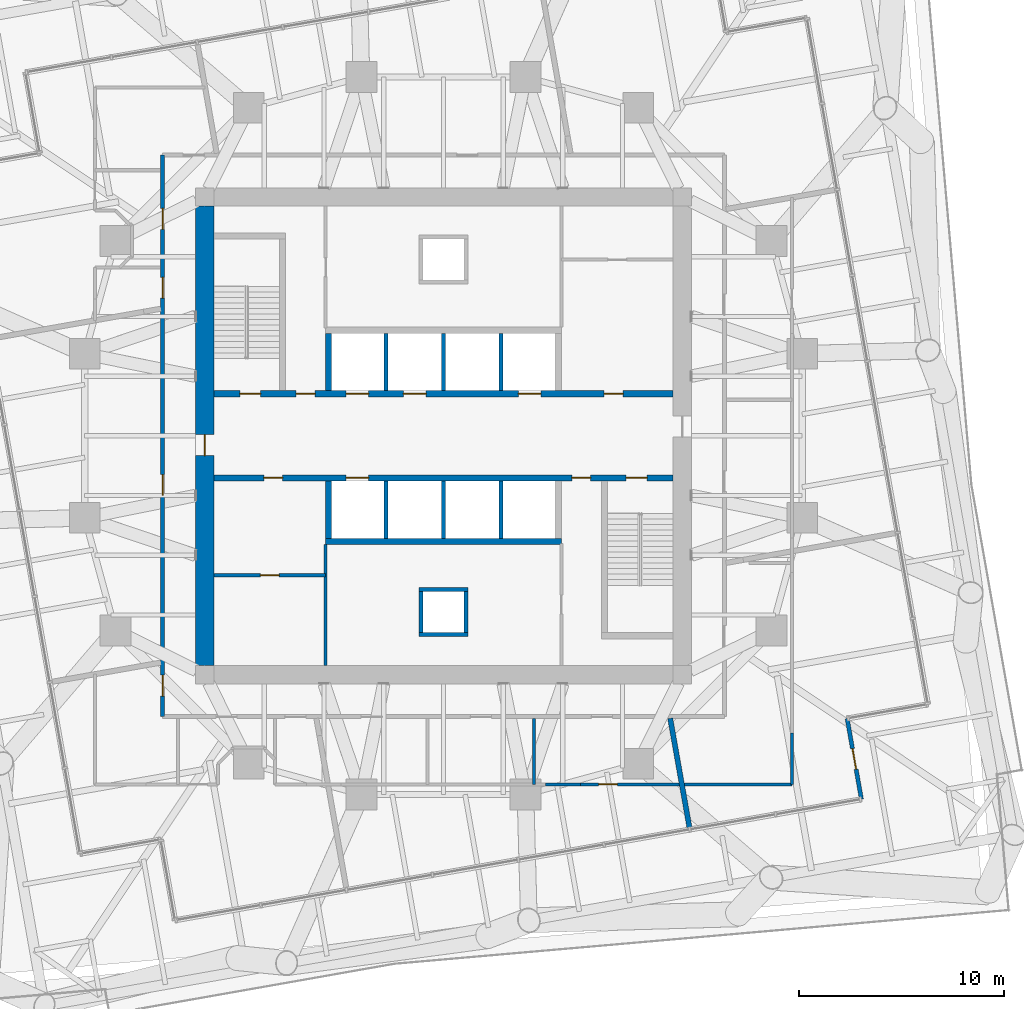
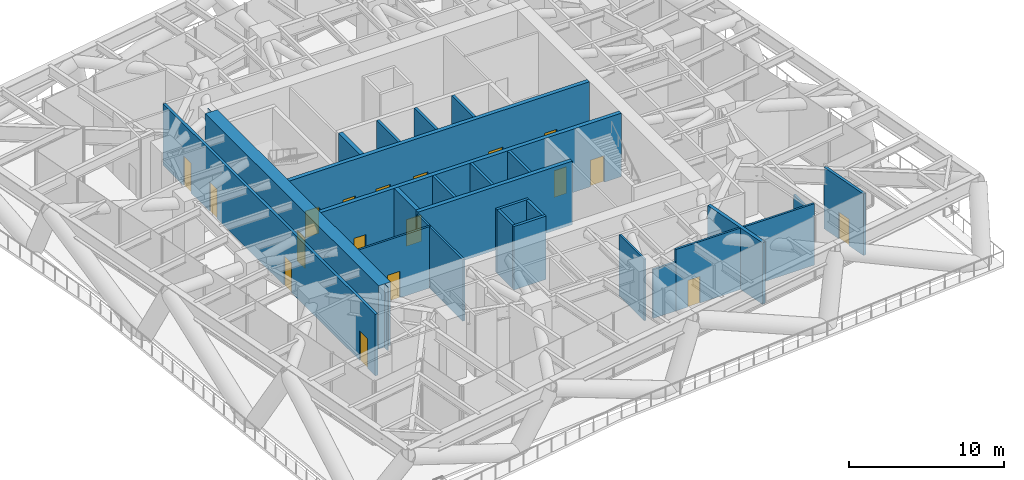
# One storey, part 10 of 15: 25 walls, 18 doors, 18 openings.
"""IFC4 building model written with IfcOpenShell, lengths in metres."""

import ifcopenshell
import ifcopenshell.guid

model = None  # the IFC model being written
_history = None  # IfcOwnerHistory: only IFC2X3 demands one
_inside = {}  # id of a spatial element -> (the spatial element, [elements in it])
_under = {}  # id of a project, library or spatial element -> (it, [spatial elements below it])
_declared = {}  # id of a project -> (the project, [libraries it declares])
_typed = {}  # id of a type object -> (the type object, [elements of that type])
_made_of = {}  # id of a material, layer set ... -> (it, [elements and type objects made of it])


def new_model(schema):
    """Start an empty IFC model of exactly this schema.

    Asked for "IFC4X3", IfcOpenShell would pick the latest addendum, in which some entities
    have other attributes; the version numbers below select the first issue.
    IFC2X3 requires an IfcOwnerHistory on every rooted entity: one is made here for all.
    """
    global model, _history
    if schema == "IFC4X3":
        model = ifcopenshell.file(schema_version=(4, 3, 0, 0))
    else:
        model = ifcopenshell.file(schema=schema)
    _inside.clear()
    _under.clear()
    _declared.clear()
    _typed.clear()
    _made_of.clear()
    _history = None
    if model.schema == "IFC2X3":
        org = make("IfcOrganization", Name="unknown")
        user = make(
            "IfcPersonAndOrganization",
            ThePerson=make("IfcPerson", FamilyName="unknown"),
            TheOrganization=org,
        )
        app = make(
            "IfcApplication",
            ApplicationDeveloper=org,
            Version="unknown",
            ApplicationFullName="unknown",
            ApplicationIdentifier="unknown",
        )
        _history = make(
            "IfcOwnerHistory",
            OwningUser=user,
            OwningApplication=app,
            ChangeAction="ADDED",
            CreationDate=0,
        )
    return model


def make(cls, **values):
    """One entity of the class cls with the attributes given. An attribute that is None is left unset."""
    return model.create_entity(
        cls, **{name: value for name, value in values.items() if value is not None}
    )


def rooted(cls, **values):
    """An entity with a GlobalId (a new one), such as an element, a storey or a relation."""
    return make(cls, GlobalId=ifcopenshell.guid.new(), OwnerHistory=_history, **values)


def si_unit(unit_type, name, prefix=None):
    """IfcSIUnit, for example si_unit("LENGTHUNIT", "METRE", prefix="MILLI")."""
    return make("IfcSIUnit", UnitType=unit_type, Prefix=prefix, Name=name)


def assignment(units):
    """IfcUnitAssignment: the units of a project."""
    return None if units is None else make("IfcUnitAssignment", Units=units)


def point(xyz):
    """IfcCartesianPoint."""
    return None if xyz is None else make("IfcCartesianPoint", Coordinates=xyz)


def direction(xyz):
    """IfcDirection."""
    return None if xyz is None else make("IfcDirection", DirectionRatios=xyz)


def frame(location, z_axis=None, x_axis=None):
    """IfcAxis2Placement3D, a coordinate frame: its origin and axes. An axis left out is left unset."""
    return make(
        "IfcAxis2Placement3D",
        Location=point(location),
        Axis=direction(z_axis),
        RefDirection=direction(x_axis),
    )


def frame_2d(location, x_axis=None):
    """IfcAxis2Placement2D, a coordinate frame in the plane: its origin and x axis."""
    return make(
        "IfcAxis2Placement2D", Location=point(location), RefDirection=direction(x_axis)
    )


def origin():
    """The frame at (0, 0, 0) with its axes left unset."""
    return frame((0.0, 0.0, 0.0))


def place(relative_to, where):
    """IfcLocalPlacement: puts the frame where relative to a parent placement (None: the world)."""
    return make(
        "IfcLocalPlacement", PlacementRelTo=relative_to, RelativePlacement=where
    )


def context(
    kind, dimensions, precision=None, world=None, true_north=None, identifier=None
):
    """IfcGeometricRepresentationContext, for example the 3D "Model" context."""
    return make(
        "IfcGeometricRepresentationContext",
        ContextIdentifier=identifier,
        ContextType=kind,
        CoordinateSpaceDimension=dimensions,
        Precision=precision,
        WorldCoordinateSystem=world,
        TrueNorth=true_north,
    )


def subcontext(parent, identifier, kind, view, scale=None):
    """IfcGeometricRepresentationSubContext, for example "Body" below "Model"."""
    return make(
        "IfcGeometricRepresentationSubContext",
        ContextIdentifier=identifier,
        ContextType=kind,
        ParentContext=parent,
        TargetScale=scale,
        TargetView=view,
    )


def project(units=None, contexts=None):
    """IfcProject with its units and contexts."""
    return rooted(
        "IfcProject",
        Name="project",
        RepresentationContexts=contexts,
        UnitsInContext=assignment(units),
    )


def spatial(cls, under=None, at=None, **own):
    """A site, building, storey or space (cls), placed at a placement, below another one or the project."""
    s = rooted(cls, ObjectPlacement=at, **own)
    if under is not None:
        _under.setdefault(under.id(), (under, []))[1].append(s)
    return s


def polyline(points):
    """IfcPolyline through the points."""
    return make("IfcPolyline", Points=[point(p) for p in points])


def profile(cls, at=None, kind="AREA", **sizes):
    """A parametric profile (cls). Its sizes go by their IFC names, for example OverallWidth=200.0."""
    return make(cls, ProfileType=kind, Position=at, **sizes)


def rectangle(**sizes):
    """IfcRectangleProfileDef."""
    return profile("IfcRectangleProfileDef", **sizes)


def outline(outer, holes=None, kind="AREA"):
    """IfcArbitraryClosedProfileDef: a profile drawn as a closed curve; with holes, ...WithVoids."""
    if holes is None:
        return make("IfcArbitraryClosedProfileDef", ProfileType=kind, OuterCurve=outer)
    return make(
        "IfcArbitraryProfileDefWithVoids",
        ProfileType=kind,
        OuterCurve=outer,
        InnerCurves=holes,
    )


def extrude(swept, where, along, depth):
    """IfcExtrudedAreaSolid: the profile swept, set in the frame where, extruded along a direction by depth."""
    return make(
        "IfcExtrudedAreaSolid",
        SweptArea=swept,
        Position=where,
        ExtrudedDirection=direction(along),
        Depth=depth,
    )


def shape(context_of_items, identifier, shape_type, items):
    """IfcShapeRepresentation: the items that make up one representation, for example the "Body"."""
    return make(
        "IfcShapeRepresentation",
        ContextOfItems=context_of_items,
        RepresentationIdentifier=identifier,
        RepresentationType=shape_type,
        Items=items,
    )


def material(Name=None, Category=None):
    """IfcMaterial."""
    return make("IfcMaterial", Name=Name, Category=Category)


def layer(
    of_material, thickness, ventilated=None, Name=None, Category=None, Priority=None
):
    """IfcMaterialLayer: one layer of a wall or slab, of a material (None: an air gap)."""
    return make(
        "IfcMaterialLayer",
        Material=of_material,
        LayerThickness=thickness,
        IsVentilated=ventilated,
        Name=Name,
        Category=Category,
        Priority=Priority,
    )


def layer_set(layers, Name=None):
    """IfcMaterialLayerSet."""
    return make("IfcMaterialLayerSet", MaterialLayers=layers, LayerSetName=Name)


def made_of(thing, what):
    """Note that an element or type object is made of a material, layer set ...; save() writes the relation."""
    if what is not None:
        _made_of.setdefault(what.id(), (what, []))[1].append(thing)
    return thing


def type_object(cls, material=None, **own):
    """A type object (cls), such as IfcWallType, which elements share."""
    return made_of(rooted(cls, **own), material)


def element(
    cls,
    number,
    at=None,
    inside=None,
    cuts=None,
    type_object=None,
    material=None,
    context=None,
    identifier="Body",
    shape_type=None,
    held_by="IfcProductDefinitionShape",
    body=None,
    shapes=None,
    **own,
):
    """One element of the class cls, such as IfcWall. Its Tag is "e" and its number.

    at: its placement. inside: the storey or other place that contains it. cuts: it is an
    opening in that element (IfcRelVoidsElement). A single representation is given by context,
    identifier, shape_type and body (its items); several are given by shapes. held_by: the class
    of the entity that holds the representations. save() writes the other relations.
    """
    e = rooted(cls, Tag="e%d" % number, ObjectPlacement=at, **own)
    if body is not None:
        shapes = [shape(context, identifier, shape_type, body)]
    if shapes is not None:
        e.Representation = make(held_by, Representations=shapes)
    if inside is not None:
        _inside.setdefault(inside.id(), (inside, []))[1].append(e)
    if cuts is not None:
        rooted(
            "IfcRelVoidsElement", RelatingBuildingElement=cuts, RelatedOpeningElement=e
        )
    if type_object is not None:
        _typed.setdefault(type_object.id(), (type_object, []))[1].append(e)
    return made_of(e, material)


def fill(opening, filler):
    """IfcRelFillsElement: the door or window that sits in an opening."""
    return rooted(
        "IfcRelFillsElement",
        RelatingOpeningElement=opening,
        RelatedBuildingElement=filler,
    )


def aggregate(whole, parts):
    """IfcRelAggregates: a whole, such as a stair, and the parts it consists of."""
    return rooted("IfcRelAggregates", RelatingObject=whole, RelatedObjects=parts)


def save(model, path):
    """Write the relations noted so far, then the file.

    IfcRelAggregates (storeys below a building ...), IfcRelContainedInSpatialStructure (elements
    in a storey), IfcRelDefinesByType, IfcRelAssociatesMaterial and IfcRelDeclares: one each for
    every whole, place, type object, material and project.
    """
    for whole, parts in _under.values():
        aggregate(whole, parts)
    for where, things in _inside.values():
        rooted(
            "IfcRelContainedInSpatialStructure",
            RelatedElements=things,
            RelatingStructure=where,
        )
    for kind, things in _typed.values():
        rooted("IfcRelDefinesByType", RelatedObjects=things, RelatingType=kind)
    for what, things in _made_of.values():
        rooted("IfcRelAssociatesMaterial", RelatedObjects=things, RelatingMaterial=what)
    for by, libraries in _declared.values():
        rooted("IfcRelDeclares", RelatingContext=by, RelatedDefinitions=libraries)
    model.write(path)


model = new_model("IFC4")

# Units and contexts
model_context = context("Model", 3, precision=1e-05, world=origin(), true_north=direction((0.0, 1.0)))
body_context = subcontext(model_context, "Body", "Model", "MODEL_VIEW")
ifc_project = project(units=[si_unit("LENGTHUNIT", "METRE"), si_unit("AREAUNIT", "SQUARE_METRE"), si_unit("VOLUMEUNIT", "CUBIC_METRE"), si_unit("PLANEANGLEUNIT", "RADIAN"), si_unit("MASSUNIT", "GRAM", prefix="KILO")], contexts=[model_context])

# Site, building, storey
site_placement = place(None, origin())
site = spatial("IfcSite", under=ifc_project, at=site_placement, CompositionType="ELEMENT")
building_placement = place(site_placement, origin())
building = spatial("IfcBuilding", under=site, at=building_placement, Name="Torsade Residences", CompositionType="ELEMENT")
storey_placement = place(building_placement, frame((0.0, 0.0, 74.39990234375)))
storey = spatial("IfcBuildingStorey", under=building, at=storey_placement, Name="L20", CompositionType="ELEMENT", Elevation=74.39990234375)

# Wall, openings, doors
ifc_material_1 = material(Name="Concrete 80 MPa", Category="concrete")
ifc_layer_1 = layer(ifc_material_1, 0.300048828125)
ifc_layer_set_1 = layer_set([ifc_layer_1], Name="Concrete 80 MPa")
wall_type_1 = type_object("IfcWallType", Name="CORE INTERNAL WALL 300", PredefinedType="SHEAR", material=ifc_layer_set_1)
wall_1_placement = place(storey_placement, frame((28.800048828125, 32.050048828125, 0.0), z_axis=(0.0, 0.0, 1.0), x_axis=(1.0, 0.0, 0.0)))
wall_1 = element("IfcWall", 1, at=wall_1_placement, inside=storey, type_object=wall_type_1, Name="Core wall LN L20", PredefinedType="SHEAR", context=body_context, shape_type="SweptSolid", body=[
    extrude(rectangle(XDim=22.39990234375, YDim=0.300048828125, at=frame_2d((11.199951171875, 0.0))), origin(), (0.0, 0.0, 1.0), 5.0),
])
opening_1_placement = place(wall_1_placement, frame((19.0400390625, 0.0, 0.0)))
opening_1 = element("IfcOpeningElement", 2, at=opening_1_placement, cuts=wall_1, Name="Opening D06", PredefinedType="OPENING", context=body_context, shape_type="SweptSolid", body=[
    extrude(rectangle(XDim=0.919921875, YDim=2.10009765625, at=frame_2d((0.4599609375, 1.050048828125))), frame((0.0, 0.159912109375, 0.0), z_axis=(0.0, -1.0, 0.0), x_axis=(1.0, 0.0, 0.0)), (0.0, 0.0, 1.0), 0.320068359375),
])
opening_2_placement = place(wall_1_placement, frame((1.264892578125, 0.0, 0.0)))
opening_2 = element("IfcOpeningElement", 3, at=opening_2_placement, cuts=wall_1, Name="Opening D03", PredefinedType="OPENING", context=body_context, shape_type="SweptSolid", body=[
    extrude(rectangle(XDim=1.02001953125, YDim=2.10009765625, at=frame_2d((0.510009765625, 1.050048828125))), frame((0.0, 0.159912109375, 0.0), z_axis=(0.0, -1.0, 0.0), x_axis=(1.0, 0.0, 0.0)), (0.0, 0.0, 1.0), 0.320068359375),
])
opening_3_placement = place(wall_1_placement, frame((4.014892578125, 0.0, 0.0)))
opening_3 = element("IfcOpeningElement", 4, at=opening_3_placement, cuts=wall_1, Name="Opening D06", PredefinedType="OPENING", context=body_context, shape_type="SweptSolid", body=[
    extrude(rectangle(XDim=0.919921875, YDim=2.10009765625, at=frame_2d((0.4599609375, 1.050048828125))), frame((0.0, 0.159912109375, 0.0), z_axis=(0.0, -1.0, 0.0), x_axis=(1.0, 0.0, 0.0)), (0.0, 0.0, 1.0), 0.320068359375),
])
opening_4_placement = place(wall_1_placement, frame((6.449951171875, 0.0, 0.0)))
opening_4 = element("IfcOpeningElement", 5, at=opening_4_placement, cuts=wall_1, Name="Opening LD", PredefinedType="OPENING", context=body_context, shape_type="SweptSolid", body=[
    extrude(rectangle(XDim=1.10009765625, YDim=2.10009765625, at=frame_2d((0.550048828125, 1.050048828125))), frame((0.0, 0.159912109375, 0.0), z_axis=(0.0, -1.0, 0.0), x_axis=(1.0, 0.0, 0.0)), (0.0, 0.0, 1.0), 0.320068359375),
])
opening_5_placement = place(wall_1_placement, frame((9.25, 0.0, 0.0)))
opening_5 = element("IfcOpeningElement", 6, at=opening_5_placement, cuts=wall_1, Name="Opening LD", PredefinedType="OPENING", context=body_context, shape_type="SweptSolid", body=[
    extrude(rectangle(XDim=1.10009765625, YDim=2.10009765625, at=frame_2d((0.550048828125, 1.050048828125))), frame((0.0, 0.159912109375, 0.0), z_axis=(0.0, -1.0, 0.0), x_axis=(1.0, 0.0, 0.0)), (0.0, 0.0, 1.0), 0.320068359375),
])
opening_6_placement = place(wall_1_placement, frame((14.85009765625, 0.0, 0.0)))
opening_6 = element("IfcOpeningElement", 7, at=opening_6_placement, cuts=wall_1, Name="Opening LD", PredefinedType="OPENING", context=body_context, shape_type="SweptSolid", body=[
    extrude(rectangle(XDim=1.10009765625, YDim=2.10009765625, at=frame_2d((0.550048828125, 1.050048828125))), frame((0.0, 0.159912109375, 0.0), z_axis=(0.0, -1.0, 0.0), x_axis=(1.0, 0.0, 0.0)), (0.0, 0.0, 1.0), 0.320068359375),
])
ifc_material_2 = material(Name="Steel-framed fire door", Category="steel")
door_type_1 = type_object("IfcDoorType", Name="FIRE DOOR 1020", OperationType="NOTDEFINED", PredefinedType="DOOR", material=ifc_material_2)
door_1_placement = place(opening_2_placement, origin())
door_1 = element("IfcDoor", 8, at=door_1_placement, inside=storey, type_object=door_type_1, Name="Exit door to fire-isolated stair ST1 L20", OperationType="SINGLE_SWING_RIGHT", OverallHeight=2.10009765625, OverallWidth=1.02001953125, PredefinedType="DOOR", context=body_context, shape_type="SweptSolid", body=[
    extrude(rectangle(XDim=1.02001953125, YDim=2.10009765625, at=frame_2d((0.510009765625, 1.050048828125))), frame((0.0, 0.02490234375, 0.0), z_axis=(0.0, -1.0, 0.0), x_axis=(1.0, 0.0, 0.0)), (0.0, 0.0, 1.0), 0.050048828125),
])
fill(opening_2, door_1)
ifc_material_3 = material(Name="Steel-framed fire door", Category="steel")
door_type_2 = type_object("IfcDoorType", Name="FIRE DOOR 920", OperationType="NOTDEFINED", PredefinedType="DOOR", material=ifc_material_3)
door_2_placement = place(opening_1_placement, origin())
door_2 = element("IfcDoor", 9, at=door_2_placement, inside=storey, type_object=door_type_2, Name="Door Lift lobby to Refuse room", OperationType="SINGLE_SWING_LEFT", OverallHeight=2.10009765625, OverallWidth=0.919921875, PredefinedType="DOOR", context=body_context, shape_type="SweptSolid", body=[
    extrude(rectangle(XDim=0.919921875, YDim=2.10009765625, at=frame_2d((0.4599609375, 1.050048828125))), frame((0.0, 0.02490234375, 0.0), z_axis=(0.0, -1.0, 0.0), x_axis=(1.0, 0.0, 0.0)), (0.0, 0.0, 1.0), 0.050048828125),
])
fill(opening_1, door_2)
door_3_placement = place(opening_3_placement, origin())
door_3 = element("IfcDoor", 10, at=door_3_placement, inside=storey, type_object=door_type_2, Name="Door Lift lobby to Meter store", OperationType="SINGLE_SWING_LEFT", OverallHeight=2.10009765625, OverallWidth=0.919921875, PredefinedType="DOOR", context=body_context, shape_type="SweptSolid", body=[
    extrude(rectangle(XDim=0.919921875, YDim=2.10009765625, at=frame_2d((0.4599609375, 1.050048828125))), frame((0.0, 0.02490234375, 0.0), z_axis=(0.0, -1.0, 0.0), x_axis=(1.0, 0.0, 0.0)), (0.0, 0.0, 1.0), 0.050048828125),
])
fill(opening_3, door_3)
ifc_material_4 = material(Name="Stainless steel lift landing door", Category="steel")
door_type_3 = type_object("IfcDoorType", Name="LIFT LANDING DOOR 1100", OperationType="SLIDING_TO_LEFT", PredefinedType="DOOR", material=ifc_material_4)
door_4_placement = place(opening_4_placement, origin())
door_4 = element("IfcDoor", 11, at=door_4_placement, inside=storey, type_object=door_type_3, Name="Lift LA1 landing door L20", OperationType="SLIDING_TO_LEFT", OverallHeight=2.10009765625, OverallWidth=1.10009765625, PredefinedType="DOOR", context=body_context, shape_type="SweptSolid", body=[
    extrude(rectangle(XDim=1.10009765625, YDim=2.10009765625, at=frame_2d((0.550048828125, 1.050048828125))), frame((0.0, 0.02490234375, 0.0), z_axis=(0.0, -1.0, 0.0), x_axis=(1.0, 0.0, 0.0)), (0.0, 0.0, 1.0), 0.050048828125),
])
fill(opening_4, door_4)
door_5_placement = place(opening_5_placement, origin())
door_5 = element("IfcDoor", 12, at=door_5_placement, inside=storey, type_object=door_type_3, Name="Lift LA2 landing door L20", OperationType="SLIDING_TO_LEFT", OverallHeight=2.10009765625, OverallWidth=1.10009765625, PredefinedType="DOOR", context=body_context, shape_type="SweptSolid", body=[
    extrude(rectangle(XDim=1.10009765625, YDim=2.10009765625, at=frame_2d((0.550048828125, 1.050048828125))), frame((0.0, 0.02490234375, 0.0), z_axis=(0.0, -1.0, 0.0), x_axis=(1.0, 0.0, 0.0)), (0.0, 0.0, 1.0), 0.050048828125),
])
fill(opening_5, door_5)
door_6_placement = place(opening_6_placement, origin())
door_6 = element("IfcDoor", 13, at=door_6_placement, inside=storey, type_object=door_type_3, Name="Lift FL1 landing door L20", OperationType="SLIDING_TO_LEFT", OverallHeight=2.10009765625, OverallWidth=1.10009765625, PredefinedType="DOOR", context=body_context, shape_type="SweptSolid", body=[
    extrude(rectangle(XDim=1.10009765625, YDim=2.10009765625, at=frame_2d((0.550048828125, 1.050048828125))), frame((0.0, 0.02490234375, 0.0), z_axis=(0.0, -1.0, 0.0), x_axis=(1.0, 0.0, 0.0)), (0.0, 0.0, 1.0), 0.050048828125),
])
fill(opening_6, door_6)

wall_2_placement = place(storey_placement, frame((51.199951171875, 27.949951171875, 0.0), z_axis=(0.0, 0.0, 1.0), x_axis=(-1.0, 0.0, 0.0)))
wall_2 = element("IfcWall", 14, at=wall_2_placement, inside=storey, type_object=wall_type_1, Name="Core wall LS L20", PredefinedType="SHEAR", context=body_context, shape_type="SweptSolid", body=[
    extrude(rectangle(XDim=22.39990234375, YDim=0.300048828125, at=frame_2d((11.199951171875, 0.0))), origin(), (0.0, 0.0, 1.0), 5.0),
])
opening_7_placement = place(wall_2_placement, frame((19.0400390625, 0.0, 0.0)))
opening_7 = element("IfcOpeningElement", 15, at=opening_7_placement, cuts=wall_2, Name="Opening D06", PredefinedType="OPENING", context=body_context, shape_type="SweptSolid", body=[
    extrude(rectangle(XDim=0.919921875, YDim=2.10009765625, at=frame_2d((0.4599609375, 1.050048828125))), frame((0.0, 0.159912109375, 0.0), z_axis=(0.0, -1.0, 0.0), x_axis=(1.0, 0.0, 0.0)), (0.0, 0.0, 1.0), 0.320068359375),
])
opening_8_placement = place(wall_2_placement, frame((1.264892578125, 0.0, 0.0)))
opening_8 = element("IfcOpeningElement", 16, at=opening_8_placement, cuts=wall_2, Name="Opening D03", PredefinedType="OPENING", context=body_context, shape_type="SweptSolid", body=[
    extrude(rectangle(XDim=1.02001953125, YDim=2.10009765625, at=frame_2d((0.510009765625, 1.050048828125))), frame((0.0, 0.159912109375, 0.0), z_axis=(0.0, -1.0, 0.0), x_axis=(1.0, 0.0, 0.0)), (0.0, 0.0, 1.0), 0.320068359375),
])
opening_9_placement = place(wall_2_placement, frame((4.014892578125, 0.0, 0.0)))
opening_9 = element("IfcOpeningElement", 17, at=opening_9_placement, cuts=wall_2, Name="Opening D06", PredefinedType="OPENING", context=body_context, shape_type="SweptSolid", body=[
    extrude(rectangle(XDim=0.919921875, YDim=2.10009765625, at=frame_2d((0.4599609375, 1.050048828125))), frame((0.0, 0.159912109375, 0.0), z_axis=(0.0, -1.0, 0.0), x_axis=(1.0, 0.0, 0.0)), (0.0, 0.0, 1.0), 0.320068359375),
])
opening_10_placement = place(wall_2_placement, frame((14.85009765625, 0.0, 0.0)))
opening_10 = element("IfcOpeningElement", 18, at=opening_10_placement, cuts=wall_2, Name="Opening LD", PredefinedType="OPENING", context=body_context, shape_type="SweptSolid", body=[
    extrude(rectangle(XDim=1.10009765625, YDim=2.10009765625, at=frame_2d((0.550048828125, 1.050048828125))), frame((0.0, 0.159912109375, 0.0), z_axis=(0.0, -1.0, 0.0), x_axis=(1.0, 0.0, 0.0)), (0.0, 0.0, 1.0), 0.320068359375),
])
door_7_placement = place(opening_8_placement, origin())
door_7 = element("IfcDoor", 19, at=door_7_placement, inside=storey, type_object=door_type_1, Name="Exit door to fire-isolated stair ST2 L20", OperationType="SINGLE_SWING_RIGHT", OverallHeight=2.10009765625, OverallWidth=1.02001953125, PredefinedType="DOOR", context=body_context, shape_type="SweptSolid", body=[
    extrude(rectangle(XDim=1.02001953125, YDim=2.10009765625, at=frame_2d((0.510009765625, 1.050048828125))), frame((0.0, 0.02490234375, 0.0), z_axis=(0.0, -1.0, 0.0), x_axis=(1.0, 0.0, 0.0)), (0.0, 0.0, 1.0), 0.050048828125),
])
fill(opening_8, door_7)
door_8_placement = place(opening_7_placement, origin())
door_8 = element("IfcDoor", 20, at=door_8_placement, inside=storey, type_object=door_type_2, Name="Door Lift lobby to Cleaner store", OperationType="SINGLE_SWING_LEFT", OverallHeight=2.10009765625, OverallWidth=0.919921875, PredefinedType="DOOR", context=body_context, shape_type="SweptSolid", body=[
    extrude(rectangle(XDim=0.919921875, YDim=2.10009765625, at=frame_2d((0.4599609375, 1.050048828125))), frame((0.0, 0.02490234375, 0.0), z_axis=(0.0, -1.0, 0.0), x_axis=(1.0, 0.0, 0.0)), (0.0, 0.0, 1.0), 0.050048828125),
])
fill(opening_7, door_8)
door_9_placement = place(opening_9_placement, origin())
door_9 = element("IfcDoor", 21, at=door_9_placement, inside=storey, type_object=door_type_2, Name="Door Lift lobby to Communications equipment store", OperationType="SINGLE_SWING_RIGHT", OverallHeight=2.10009765625, OverallWidth=0.919921875, PredefinedType="DOOR", context=body_context, shape_type="SweptSolid", body=[
    extrude(rectangle(XDim=0.919921875, YDim=2.10009765625, at=frame_2d((0.4599609375, 1.050048828125))), frame((0.0, 0.02490234375, 0.0), z_axis=(0.0, -1.0, 0.0), x_axis=(1.0, 0.0, 0.0)), (0.0, 0.0, 1.0), 0.050048828125),
])
fill(opening_9, door_9)
door_10_placement = place(opening_10_placement, origin())
door_10 = element("IfcDoor", 22, at=door_10_placement, inside=storey, type_object=door_type_3, Name="Lift FL2 landing door L20", OperationType="SLIDING_TO_LEFT", OverallHeight=2.10009765625, OverallWidth=1.10009765625, PredefinedType="DOOR", context=body_context, shape_type="SweptSolid", body=[
    extrude(rectangle(XDim=1.10009765625, YDim=2.10009765625, at=frame_2d((0.550048828125, 1.050048828125))), frame((0.0, 0.02490234375, 0.0), z_axis=(0.0, -1.0, 0.0), x_axis=(1.0, 0.0, 0.0)), (0.0, 0.0, 1.0), 0.050048828125),
])
fill(opening_10, door_10)

# Walls
wall_3_placement = place(storey_placement, frame((45.75, 24.85009765625, 0.0), z_axis=(0.0, 0.0, 1.0), x_axis=(-1.0, 0.0, 0.0)))
element("IfcWall", 23, at=wall_3_placement, inside=storey, type_object=wall_type_1, Name="Core wall BS L20", PredefinedType="SHEAR", context=body_context, shape_type="SweptSolid", body=[
    extrude(rectangle(XDim=11.5, YDim=0.300048828125, at=frame_2d((5.75, 0.0))), origin(), (0.0, 0.0, 1.0), 5.0),
])
for number, where, z_axis, x_axis, name in (
    (24, (34.39990234375, 32.199951171875, 0.0), (0.0, 0.0, 1.0), (0.0, 1.0, 0.0), "Core wall DN0 L20"),
    (25, (34.39990234375, 27.800048828125, 0.0), (0.0, 0.0, 1.0), (0.0, -1.0, 0.0), "Core wall DS4 L20"),
):
    element("IfcWall", number, at=place(storey_placement, frame(where, z_axis=z_axis, x_axis=x_axis)), inside=storey, type_object=wall_type_1, Name=name, PredefinedType="SHEAR", context=body_context, shape_type="SweptSolid", body=[
        extrude(rectangle(XDim=2.800048828125, YDim=0.300048828125, at=frame_2d((1.39990234375, 0.0))), origin(), (0.0, 0.0, 1.0), 5.0),
    ])

# Wall, opening, door
ifc_material_5 = material(Name="Concrete 80 MPa", Category="concrete")
ifc_layer_2 = layer(ifc_material_5, 0.89990234375)
ifc_layer_set_2 = layer_set([ifc_layer_2], Name="Concrete 80 MPa")
wall_type_2 = type_object("IfcWallType", Name="CORE WALL 900", PredefinedType="SHEAR", material=ifc_layer_set_2)
wall_4_placement = place(storey_placement, frame((28.35009765625, 41.199951171875, 0.0), z_axis=(0.0, 0.0, 1.0), x_axis=(0.0, -1.0, 0.0)))
wall_4 = element("IfcWall", 26, at=wall_4_placement, inside=storey, type_object=wall_type_2, Name="Core wall W L20", PredefinedType="SHEAR", context=body_context, shape_type="SweptSolid", body=[
    extrude(outline(polyline([(0.0, -0.449951171875), (22.39990234375, -0.449951171875), (22.39990234375, -0.02490234375), (22.849853515625, -0.02490234375), (22.849853515625, 0.02490234375), (22.39990234375, 0.02490234375), (22.39990234375, 0.449951171875), (0.0, 0.449951171875), (0.0, 0.02490234375), (-0.449951171875, 0.02490234375), (-0.449951171875, -0.02490234375), (0.0, -0.02490234375), (0.0, -0.449951171875)])), origin(), (0.0, 0.0, 1.0), 5.0),
])
opening_11_placement = place(wall_4_placement, frame((11.139892578125, 0.0, 0.0)))
opening_11 = element("IfcOpeningElement", 27, at=opening_11_placement, cuts=wall_4, Name="Opening D04", PredefinedType="OPENING", context=body_context, shape_type="SweptSolid", body=[
    extrude(rectangle(XDim=1.02001953125, YDim=2.39990234375, at=frame_2d((0.510009765625, 1.199951171875))), frame((0.0, 0.4599609375, 0.0), z_axis=(0.0, -1.0, 0.0), x_axis=(1.0, 0.0, 0.0)), (0.0, 0.0, 1.0), 0.919921875),
])
ifc_material_6 = material(Name="Steel-framed fire door", Category="steel")
door_type_4 = type_object("IfcDoorType", Name="LOBBY SMOKE DOOR 1020x2400", OperationType="NOTDEFINED", PredefinedType="DOOR", material=ifc_material_6)
door_11_placement = place(opening_11_placement, origin())
door_11 = element("IfcDoor", 28, at=door_11_placement, inside=storey, type_object=door_type_4, Name="Lift lobby door W L20", OperationType="SINGLE_SWING_RIGHT", OverallHeight=2.39990234375, OverallWidth=1.02001953125, PredefinedType="DOOR", context=body_context, shape_type="SweptSolid", body=[
    extrude(rectangle(XDim=1.02001953125, YDim=2.39990234375, at=frame_2d((0.510009765625, 1.199951171875))), frame((0.0, 0.02490234375, 0.0), z_axis=(0.0, -1.0, 0.0), x_axis=(1.0, 0.0, 0.0)), (0.0, 0.0, 1.0), 0.050048828125),
])
fill(opening_11, door_11)

# Wall, openings, doors
ifc_material_7 = material(Name="Plasterboard on steel stud", Category="steel")
ifc_layer_3 = layer(ifc_material_7, 0.199951171875)
ifc_layer_set_3 = layer_set([ifc_layer_3], Name="Plasterboard on steel stud")
wall_type_3 = type_object("IfcWallType", Name="CORRIDOR WALL 200", PredefinedType="PARTITIONING", material=ifc_layer_set_3)
wall_5_placement = place(storey_placement, frame((26.300048828125, 43.699951171875, 0.0), z_axis=(0.0, 0.0, 1.0), x_axis=(0.0, -1.0, 0.0)))
wall_5 = element("IfcWall", 29, at=wall_5_placement, inside=storey, type_object=wall_type_3, Name="Corridor wall L20", PredefinedType="PARTITIONING", context=body_context, shape_type="SweptSolid", body=[
    extrude(rectangle(XDim=27.39990234375, YDim=0.199951171875, at=frame_2d((13.699951171875, 0.0))), origin(), (0.0, 0.0, 1.0), 4.85009765625),
])
opening_12_placement = place(wall_5_placement, frame((15.588134765625, 0.0, 0.0)))
opening_12 = element("IfcOpeningElement", 30, at=opening_12_placement, cuts=wall_5, Name="Opening D01", PredefinedType="OPENING", context=body_context, shape_type="SweptSolid", body=[
    extrude(rectangle(XDim=1.02001953125, YDim=2.340087890625, at=frame_2d((0.510009765625, 1.169921875))), frame((0.0, 0.10986328125, 0.0), z_axis=(0.0, -1.0, 0.0), x_axis=(1.0, 0.0, 0.0)), (0.0, 0.0, 1.0), 0.219970703125),
])
opening_13_placement = place(wall_5_placement, frame((2.60400390625, 0.0, 0.0)))
opening_13 = element("IfcOpeningElement", 31, at=opening_13_placement, cuts=wall_5, Name="Opening D01", PredefinedType="OPENING", context=body_context, shape_type="SweptSolid", body=[
    extrude(rectangle(XDim=1.02001953125, YDim=2.340087890625, at=frame_2d((0.510009765625, 1.169921875))), frame((0.0, 0.10986328125, 0.0), z_axis=(0.0, -1.0, 0.0), x_axis=(1.0, 0.0, 0.0)), (0.0, 0.0, 1.0), 0.219970703125),
])
opening_14_placement = place(wall_5_placement, frame((25.377685546875, 0.0, 0.0)))
opening_14 = element("IfcOpeningElement", 32, at=opening_14_placement, cuts=wall_5, Name="Opening D01", PredefinedType="OPENING", context=body_context, shape_type="SweptSolid", body=[
    extrude(rectangle(XDim=1.02001953125, YDim=2.340087890625, at=frame_2d((0.510009765625, 1.169921875))), frame((0.0, 0.10986328125, 0.0), z_axis=(0.0, -1.0, 0.0), x_axis=(1.0, 0.0, 0.0)), (0.0, 0.0, 1.0), 0.219970703125),
])
opening_15_placement = place(wall_5_placement, frame((5.9677734375, 0.0, 0.0)))
opening_15 = element("IfcOpeningElement", 33, at=opening_15_placement, cuts=wall_5, Name="Opening D01", PredefinedType="OPENING", context=body_context, shape_type="SweptSolid", body=[
    extrude(rectangle(XDim=1.02001953125, YDim=2.340087890625, at=frame_2d((0.510009765625, 1.169921875))), frame((0.0, 0.10986328125, 0.0), z_axis=(0.0, -1.0, 0.0), x_axis=(1.0, 0.0, 0.0)), (0.0, 0.0, 1.0), 0.219970703125),
])
ifc_material_8 = material(Name="Solid-core timber fire door", Category="wood")
door_type_5 = type_object("IfcDoorType", Name="APARTMENT ENTRY DOOR 1020x2340", OperationType="NOTDEFINED", PredefinedType="DOOR", material=ifc_material_8)
door_12_placement = place(opening_12_placement, origin())
door_12 = element("IfcDoor", 34, at=door_12_placement, inside=storey, type_object=door_type_5, Name="Door Plant corridor to Refuge area", OperationType="SINGLE_SWING_RIGHT", OverallHeight=2.340087890625, OverallWidth=1.02001953125, PredefinedType="DOOR", context=body_context, shape_type="SweptSolid", body=[
    extrude(rectangle(XDim=1.02001953125, YDim=2.340087890625, at=frame_2d((0.510009765625, 1.169921875))), frame((0.0, 0.02490234375, 0.0), z_axis=(0.0, -1.0, 0.0), x_axis=(1.0, 0.0, 0.0)), (0.0, 0.0, 1.0), 0.050048828125),
])
fill(opening_12, door_12)
door_13_placement = place(opening_13_placement, origin())
door_13 = element("IfcDoor", 35, at=door_13_placement, inside=storey, type_object=door_type_5, Name="Door Plant corridor to Service lobby", OperationType="SINGLE_SWING_LEFT", OverallHeight=2.340087890625, OverallWidth=1.02001953125, PredefinedType="DOOR", context=body_context, shape_type="SweptSolid", body=[
    extrude(rectangle(XDim=1.02001953125, YDim=2.340087890625, at=frame_2d((0.510009765625, 1.169921875))), frame((0.0, 0.02490234375, 0.0), z_axis=(0.0, -1.0, 0.0), x_axis=(1.0, 0.0, 0.0)), (0.0, 0.0, 1.0), 0.050048828125),
])
fill(opening_13, door_13)
door_14_placement = place(opening_14_placement, origin())
door_14 = element("IfcDoor", 36, at=door_14_placement, inside=storey, type_object=door_type_5, Name="Door Plant corridor to Plant cupboard", OperationType="SINGLE_SWING_RIGHT", OverallHeight=2.340087890625, OverallWidth=1.02001953125, PredefinedType="DOOR", context=body_context, shape_type="SweptSolid", body=[
    extrude(rectangle(XDim=1.02001953125, YDim=2.340087890625, at=frame_2d((0.510009765625, 1.169921875))), frame((0.0, 0.02490234375, 0.0), z_axis=(0.0, -1.0, 0.0), x_axis=(1.0, 0.0, 0.0)), (0.0, 0.0, 1.0), 0.050048828125),
])
fill(opening_14, door_14)
door_15_placement = place(opening_15_placement, origin())
door_15 = element("IfcDoor", 37, at=door_15_placement, inside=storey, type_object=door_type_5, Name="Door Plant corridor to Store", OperationType="SINGLE_SWING_LEFT", OverallHeight=2.340087890625, OverallWidth=1.02001953125, PredefinedType="DOOR", context=body_context, shape_type="SweptSolid", body=[
    extrude(rectangle(XDim=1.02001953125, YDim=2.340087890625, at=frame_2d((0.510009765625, 1.169921875))), frame((0.0, 0.02490234375, 0.0), z_axis=(0.0, -1.0, 0.0), x_axis=(1.0, 0.0, 0.0)), (0.0, 0.0, 1.0), 0.050048828125),
])
fill(opening_15, door_15)

# Walls
ifc_material_9 = material(Name="Reinforced blockwork", Category="masonry")
ifc_layer_4 = layer(ifc_material_9, 0.199951171875)
ifc_layer_set_4 = layer_set([ifc_layer_4], Name="Reinforced blockwork")
wall_type_4 = type_object("IfcWallType", Name="LIFT SHAFT DIVIDING WALL 200", PredefinedType="SOLIDWALL", material=ifc_layer_set_4)
for number, where, z_axis, x_axis, name in (
    (38, (37.199951171875, 32.199951171875, 0.0), (0.0, 0.0, 1.0), (0.0, 1.0, 0.0), "Core wall DN1 L20"),
    (39, (42.800048828125, 27.800048828125, 0.0), (0.0, 0.0, 1.0), (0.0, -1.0, 0.0), "Core wall DS1 L20"),
    (40, (40.0, 32.199951171875, 0.0), (0.0, 0.0, 1.0), (0.0, 1.0, 0.0), "Core wall DN2 L20"),
    (41, (40.0, 27.800048828125, 0.0), (0.0, 0.0, 1.0), (0.0, -1.0, 0.0), "Core wall DS2 L20"),
    (42, (42.800048828125, 32.199951171875, 0.0), (0.0, 0.0, 1.0), (0.0, 1.0, 0.0), "Core wall DN3 L20"),
    (43, (37.199951171875, 27.800048828125, 0.0), (0.0, 0.0, 1.0), (0.0, -1.0, 0.0), "Core wall DS3 L20"),
):
    element("IfcWall", number, at=place(storey_placement, frame(where, z_axis=z_axis, x_axis=x_axis)), inside=storey, type_object=wall_type_4, Name=name, PredefinedType="SOLIDWALL", context=body_context, shape_type="SweptSolid", body=[
        extrude(rectangle(XDim=2.800048828125, YDim=0.199951171875, at=frame_2d((1.39990234375, 0.0))), origin(), (0.0, 0.0, 1.0), 5.0),
    ])
ifc_material_10 = material(Name="Masonry-lined stud party wall", Category="masonry")
ifc_layer_5 = layer(ifc_material_10, 0.25)
ifc_layer_set_5 = layer_set([ifc_layer_5], Name="Masonry-lined stud party wall")
wall_type_5 = type_object("IfcWallType", Name="PARTY WALL 250", PredefinedType="PARTITIONING", material=ifc_layer_set_5)
wall_6_placement = place(storey_placement, frame((52.017578125, 10.795166015625, 0.0), z_axis=(0.0, 0.0, 1.0), x_axis=(-0.173674040102, 0.984803192417, 0.0)))
element("IfcWall", 44, at=wall_6_placement, inside=storey, type_object=wall_type_5, Name="Party wall L20", PredefinedType="PARTITIONING", context=body_context, shape_type="SweptSolid", body=[
    extrude(rectangle(XDim=5.50634765625, YDim=0.25, at=frame_2d((2.753173828125, 0.0))), origin(), (0.0, 0.0, 1.0), 4.85009765625),
])

# Wall, opening, door
ifc_material_11 = material(Name="Stone-faced precast concrete 40 MPa panel", Category="masonry")
ifc_layer_6 = layer(ifc_material_11, 0.199951171875)
ifc_layer_set_6 = layer_set([ifc_layer_6], Name="Stone-faced precast concrete 40 MPa panel")
wall_type_6 = type_object("IfcWallType", Name="PLANT ROOM EXTERNAL WALL 200", PredefinedType="SOLIDWALL", material=ifc_layer_set_6)
wall_7_placement = place(storey_placement, frame((60.388427734375, 12.27099609375, 0.0), z_axis=(0.0, 0.0, 1.0), x_axis=(-0.173646056486, 0.984808127031, 0.0)))
wall_7 = element("IfcWall", 45, at=wall_7_placement, inside=storey, type_object=wall_type_6, Name="Plant room wall L20 2", PredefinedType="SOLIDWALL", context=body_context, shape_type="SweptSolid", body=[
    extrude(rectangle(XDim=4.0, YDim=0.199951171875, at=frame_2d((2.0, 0.0))), origin(), (0.0, 0.0, 1.0), 4.85009765625),
])
opening_16_placement = place(wall_7_placement, frame((1.489990234375, 0.0, 0.0)))
opening_16 = element("IfcOpeningElement", 46, at=opening_16_placement, cuts=wall_7, Name="Opening D11", PredefinedType="OPENING", context=body_context, shape_type="SweptSolid", body=[
    extrude(rectangle(XDim=1.02001953125, YDim=2.10009765625, at=frame_2d((0.510009765625, 1.050048828125))), frame((0.0, 0.10986328125, 0.0), z_axis=(0.0, -1.0, 0.0), x_axis=(1.0, 0.0, 0.0)), (0.0, 0.0, 1.0), 0.219970703125),
])
ifc_material_12 = material(Name="Steel-framed external door", Category="steel")
door_type_6 = type_object("IfcDoorType", Name="MAINTENANCE ROOF DOOR 1020", OperationType="NOTDEFINED", PredefinedType="DOOR", material=ifc_material_12)
door_16_placement = place(opening_16_placement, origin())
door_16 = element("IfcDoor", 47, at=door_16_placement, inside=storey, type_object=door_type_6, Name="Maintenance roof door L20", OperationType="SINGLE_SWING_RIGHT", OverallHeight=2.10009765625, OverallWidth=1.02001953125, PredefinedType="DOOR", context=body_context, shape_type="SweptSolid", body=[
    extrude(rectangle(XDim=1.02001953125, YDim=2.10009765625, at=frame_2d((0.510009765625, 1.050048828125))), frame((0.0, 0.02490234375, 0.0), z_axis=(0.0, -1.0, 0.0), x_axis=(1.0, 0.0, 0.0)), (0.0, 0.0, 1.0), 0.050048828125),
])
fill(opening_16, door_16)

# Walls
ifc_material_13 = material(Name="Reinforced blockwork", Category="masonry")
ifc_layer_7 = layer(ifc_material_13, 0.199951171875)
ifc_layer_set_7 = layer_set([ifc_layer_7], Name="Reinforced blockwork")
wall_type_7 = type_object("IfcWallType", Name="RISER SHAFT WALL 200", PredefinedType="SOLIDWALL", material=ifc_layer_set_7)
for number, where, z_axis, x_axis, name in (
    (48, (38.89990234375, 22.39990234375, 0.0), (0.0, 0.0, 1.0), (0.0, -1.0, 0.0), "Core wall RS2a L20"),
    (49, (41.10009765625, 22.39990234375, 0.0), (0.0, 0.0, 1.0), (0.0, -1.0, 0.0), "Core wall RS2b L20"),
):
    element("IfcWall", number, at=place(storey_placement, frame(where, z_axis=z_axis, x_axis=x_axis)), inside=storey, type_object=wall_type_7, Name=name, PredefinedType="SOLIDWALL", context=body_context, shape_type="SweptSolid", body=[
        extrude(rectangle(XDim=2.0, YDim=0.199951171875, at=frame_2d((1.0, 0.0))), origin(), (0.0, 0.0, 1.0), 5.0),
    ])
for number, where, z_axis, x_axis, name in (
    (50, (38.800048828125, 22.5, 0.0), (0.0, 0.0, 1.0), (1.0, 0.0, 0.0), "Core wall RS2c L20"),
    (51, (38.800048828125, 20.300048828125, 0.0), (0.0, 0.0, 1.0), (1.0, 0.0, 0.0), "Core wall RS2d L20"),
):
    element("IfcWall", number, at=place(storey_placement, frame(where, z_axis=z_axis, x_axis=x_axis)), inside=storey, type_object=wall_type_7, Name=name, PredefinedType="SOLIDWALL", context=body_context, shape_type="SweptSolid", body=[
        extrude(rectangle(XDim=2.39990234375, YDim=0.199951171875, at=frame_2d((1.199951171875, 0.0))), origin(), (0.0, 0.0, 1.0), 5.0),
    ])
ifc_material_14 = material(Name="Reinforced blockwork", Category="masonry")
ifc_layer_8 = layer(ifc_material_14, 0.14990234375)
ifc_layer_set_8 = layer_set([ifc_layer_8], Name="Reinforced blockwork")
wall_type_8 = type_object("IfcWallType", Name="SERVICE ROOM WALL 150", PredefinedType="SOLIDWALL", material=ifc_layer_set_8)
wall_8_placement = place(storey_placement, frame((34.25, 18.800048828125, 0.0), z_axis=(0.0, 0.0, 1.0), x_axis=(0.0, 1.0, 0.0)))
element("IfcWall", 52, at=wall_8_placement, inside=storey, type_object=wall_type_8, Name="Service room wall L20", PredefinedType="SOLIDWALL", context=body_context, shape_type="SweptSolid", body=[
    extrude(rectangle(XDim=5.89990234375, YDim=0.14990234375, at=frame_2d((2.949951171875, 0.0))), origin(), (0.0, 0.0, 1.0), 4.85009765625),
])

# Wall, opening, door
wall_9_placement = place(storey_placement, frame((34.25, 23.199951171875, 0.0), z_axis=(0.0, 0.0, 1.0), x_axis=(-1.0, 0.0, 0.0)))
wall_9 = element("IfcWall", 53, at=wall_9_placement, inside=storey, type_object=wall_type_8, Name="Service room wall L20", PredefinedType="SOLIDWALL", context=body_context, shape_type="SweptSolid", body=[
    extrude(rectangle(XDim=5.449951171875, YDim=0.14990234375, at=frame_2d((2.72509765625, 0.0))), origin(), (0.0, 0.0, 1.0), 4.85009765625),
])
opening_17_placement = place(wall_9_placement, frame((2.264892578125, 0.0, 0.0)))
opening_17 = element("IfcOpeningElement", 54, at=opening_17_placement, cuts=wall_9, Name="Opening D06", PredefinedType="OPENING", context=body_context, shape_type="SweptSolid", body=[
    extrude(rectangle(XDim=0.919921875, YDim=2.10009765625, at=frame_2d((0.4599609375, 1.050048828125))), frame((0.0, 0.0849609375, 0.0), z_axis=(0.0, -1.0, 0.0), x_axis=(1.0, 0.0, 0.0)), (0.0, 0.0, 1.0), 0.169921875),
])
door_17_placement = place(opening_17_placement, origin())
door_17 = element("IfcDoor", 55, at=door_17_placement, inside=storey, type_object=door_type_2, Name="Door Cleaner store to Sprinkler valve room", OperationType="SINGLE_SWING_LEFT", OverallHeight=2.10009765625, OverallWidth=0.919921875, PredefinedType="DOOR", context=body_context, shape_type="SweptSolid", body=[
    extrude(rectangle(XDim=0.919921875, YDim=2.10009765625, at=frame_2d((0.4599609375, 1.050048828125))), frame((0.0, 0.02490234375, 0.0), z_axis=(0.0, -1.0, 0.0), x_axis=(1.0, 0.0, 0.0)), (0.0, 0.0, 1.0), 0.050048828125),
])
fill(opening_17, door_17)

wall_10_placement = place(storey_placement, frame((57.0, 13.0, 0.0), z_axis=(0.0, 0.0, 1.0), x_axis=(-1.0, 0.0, 0.0)))
wall_10 = element("IfcWall", 56, at=wall_10_placement, inside=storey, type_object=wall_type_8, Name="Service room wall L20", PredefinedType="SOLIDWALL", context=body_context, shape_type="SweptSolid", body=[
    extrude(rectangle(XDim=10.321533203125, YDim=0.14990234375, at=frame_2d((5.16064453125, 0.0))), origin(), (0.0, 0.0, 1.0), 4.85009765625),
])
opening_18_placement = place(wall_10_placement, frame((8.5166015625, 0.0, 0.0)))
opening_18 = element("IfcOpeningElement", 57, at=opening_18_placement, cuts=wall_10, Name="Opening D06", PredefinedType="OPENING", context=body_context, shape_type="SweptSolid", body=[
    extrude(rectangle(XDim=0.919921875, YDim=2.10009765625, at=frame_2d((0.4599609375, 1.050048828125))), frame((0.0, 0.0849609375, 0.0), z_axis=(0.0, -1.0, 0.0), x_axis=(1.0, 0.0, 0.0)), (0.0, 0.0, 1.0), 0.169921875),
])
door_18_placement = place(opening_18_placement, origin())
door_18 = element("IfcDoor", 58, at=door_18_placement, inside=storey, type_object=door_type_2, Name="Door Service lobby to Mechanical plant room", OperationType="SINGLE_SWING_RIGHT", OverallHeight=2.10009765625, OverallWidth=0.919921875, PredefinedType="DOOR", context=body_context, shape_type="SweptSolid", body=[
    extrude(rectangle(XDim=0.919921875, YDim=2.10009765625, at=frame_2d((0.4599609375, 1.050048828125))), frame((0.0, 0.02490234375, 0.0), z_axis=(0.0, -1.0, 0.0), x_axis=(1.0, 0.0, 0.0)), (0.0, 0.0, 1.0), 0.050048828125),
])
fill(opening_18, door_18)

# Walls
wall_11_placement = place(storey_placement, frame((46.678466796875, 13.0, 0.0), z_axis=(0.0, 0.0, 1.0), x_axis=(-1.0, 0.0, 0.0)))
element("IfcWall", 59, at=wall_11_placement, inside=storey, type_object=wall_type_8, Name="Service room wall L20", PredefinedType="SOLIDWALL", context=body_context, shape_type="SweptSolid", body=[
    extrude(rectangle(XDim=1.690185546875, YDim=0.14990234375, at=frame_2d((0.84521484375, 0.0))), origin(), (0.0, 0.0, 1.0), 3.85009765625),
])
wall_12_placement = place(storey_placement, frame((44.418212890625, 13.0, 0.0), z_axis=(0.0, 0.0, 1.0), x_axis=(0.0, 1.0, 0.0)))
element("IfcWall", 60, at=wall_12_placement, inside=storey, type_object=wall_type_8, Name="Service room wall L20", PredefinedType="SOLIDWALL", context=body_context, shape_type="SweptSolid", body=[
    extrude(rectangle(XDim=3.199951171875, YDim=0.14990234375, at=frame_2d((1.60009765625, 0.0))), origin(), (0.0, 0.0, 1.0), 4.85009765625),
])
wall_13_placement = place(storey_placement, frame((57.0, 15.500244140625, 0.0), z_axis=(0.0, 0.0, 1.0), x_axis=(0.0, -1.0, 0.0)))
element("IfcWall", 61, at=wall_13_placement, inside=storey, type_object=wall_type_8, Name="Service room wall L20", PredefinedType="SOLIDWALL", context=body_context, shape_type="SweptSolid", body=[
    extrude(rectangle(XDim=2.500244140625, YDim=0.14990234375, at=frame_2d((1.25, 0.0))), origin(), (0.0, 0.0, 1.0), 4.049072265625),
])

save(model, "model.ifc")
